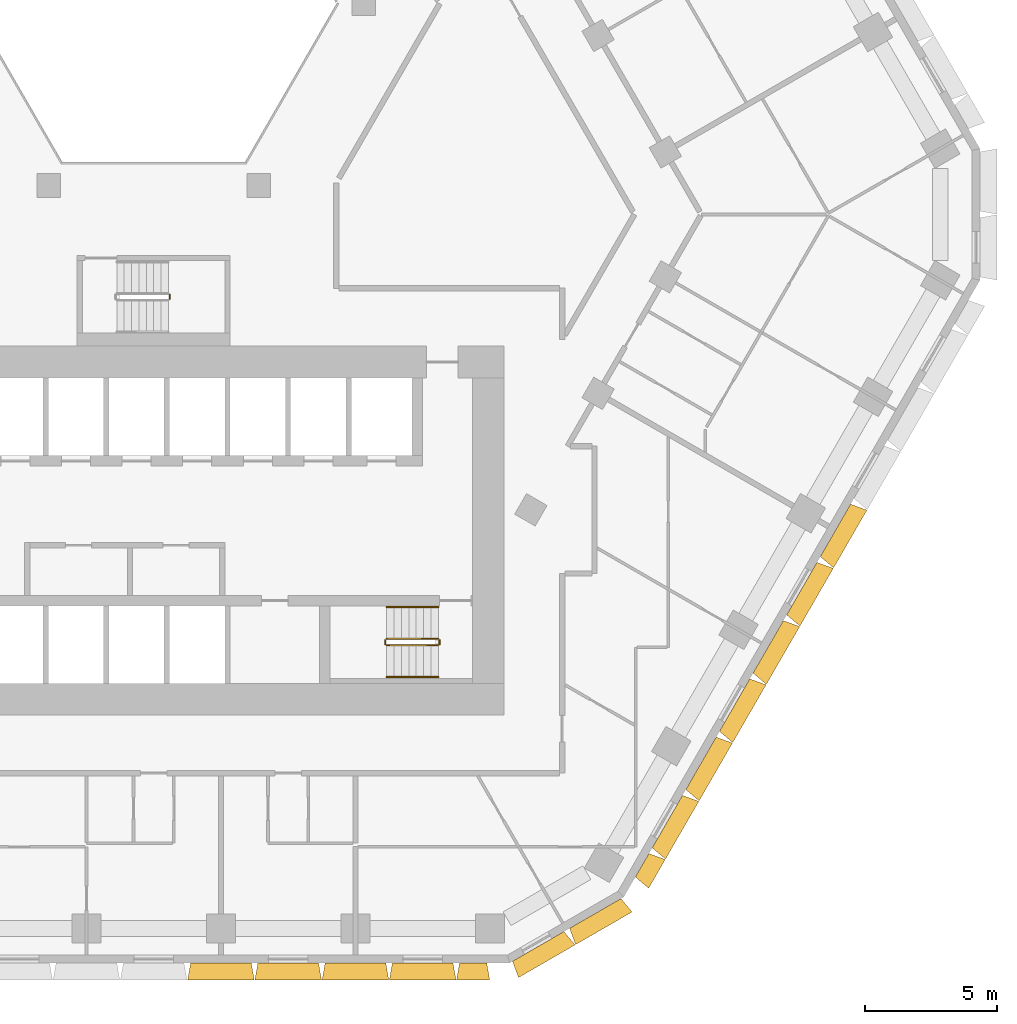
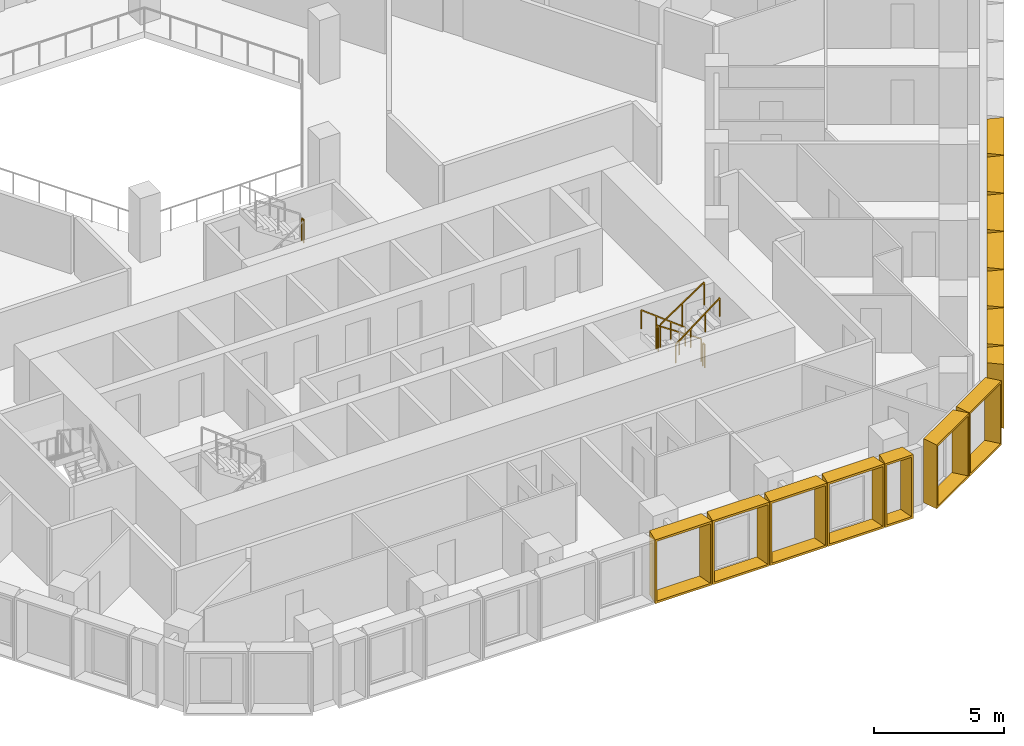
# One storey, part 15 of 16: 14 shading devices, 7 railings.
"""IFC4 building model written with IfcOpenShell, lengths in metres."""

from ifc_helpers import new_model, entity, si_unit, direction, frame, origin, origin_2d, place, context, subcontext, project, spatial, rectangle, extrude, source, transform, mapped, material, type_object, type_shapes, element, save


model = new_model("IFC4")

# Units and contexts
model_context = context("Model", 3, precision=1e-05, world=origin(), true_north=direction((0.0, 1.0)))
body_context = subcontext(model_context, "Body", "Model", "MODEL_VIEW")
ifc_project = project(units=[si_unit("LENGTHUNIT", "METRE"), si_unit("AREAUNIT", "SQUARE_METRE"), si_unit("VOLUMEUNIT", "CUBIC_METRE"), si_unit("PLANEANGLEUNIT", "RADIAN"), si_unit("MASSUNIT", "GRAM", prefix="KILO")], contexts=[model_context])

# Site, building, storey
site_placement = place(None, origin())
site = spatial("IfcSite", under=ifc_project, at=site_placement, CompositionType="ELEMENT")
building_placement = place(site_placement, origin())
building = spatial("IfcBuilding", under=site, at=building_placement, Name="Beryl Residences", CompositionType="ELEMENT")
storey_placement = place(building_placement, frame((0.0, 0.0, 38.39990234375)))
storey = spatial("IfcBuildingStorey", under=building, at=storey_placement, Name="L11", CompositionType="ELEMENT", Elevation=38.39990234375)

# Shading devices
ifc_material_1 = material(Name="Aluminium pale anodised", Category="aluminium")
shading_device_type_1 = type_object("IfcShadingDeviceType", Name="FR128-65A OUTER SKIN frame 650 mm deep, splay 10/10 deg, 1280 x 3000 mm cell", PredefinedType="USERDEFINED", material=ifc_material_1)
cartesian_point_1 = entity("IfcCartesianPoint", [-0.514892578125, 0.0])
cartesian_point_2 = entity("IfcCartesianPoint", [-0.433837890625, 0.10009765625])
cartesian_point_3 = entity("IfcCartesianPoint", [-0.629638671875, 0.0])
cartesian_point_4 = entity("IfcCartesianPoint", [-0.54833984375, 0.10009765625])
shared_shape_1 = source(origin(), body_context, "Body", "SweptSolid", [
    entity("IfcExtrudedAreaSolidTapered", entity("IfcArbitraryProfileDefWithVoids", "AREA", None, entity("IfcPolyline", [cartesian_point_1, entity("IfcCartesianPoint", [0.514892578125, 0.0]), entity("IfcCartesianPoint", [0.514892578125, 3.0]), entity("IfcCartesianPoint", [-0.514892578125, 3.0]), cartesian_point_1]), [entity("IfcPolyline", [cartesian_point_2, entity("IfcCartesianPoint", [0.433837890625, 0.10009765625]), entity("IfcCartesianPoint", [0.433837890625, 2.89990234375]), entity("IfcCartesianPoint", [-0.433837890625, 2.89990234375]), cartesian_point_2])]), entity("IfcAxis2Placement3D", entity("IfcCartesianPoint", [0.0, 0.0, 0.0]), entity("IfcDirection", [0.0, 1.0, 0.0]), entity("IfcDirection", [-1.0, 0.0, 0.0])), entity("IfcDirection", [0.0, 0.0, 1.0]), 0.64990234375, entity("IfcArbitraryProfileDefWithVoids", "AREA", None, entity("IfcPolyline", [cartesian_point_3, entity("IfcCartesianPoint", [0.629638671875, 0.0]), entity("IfcCartesianPoint", [0.629638671875, 3.0]), entity("IfcCartesianPoint", [-0.629638671875, 3.0]), cartesian_point_3]), [entity("IfcPolyline", [cartesian_point_4, entity("IfcCartesianPoint", [0.54833984375, 0.10009765625]), entity("IfcCartesianPoint", [0.54833984375, 2.89990234375]), entity("IfcCartesianPoint", [-0.54833984375, 2.89990234375]), cartesian_point_4])])),
])
type_shapes(shading_device_type_1, [shared_shape_1])
for number, where, z_axis, x_axis, name in (
    (1, (12.123046875, -28.39990234375, 0.0), (0.0, 0.0, 1.0), (-1.0, 0.0, 0.0), "FR128-65A frame L11 S 11"),
    (2, (18.534912109375, -24.697021484375, 0.0), (0.0, 0.0, 1.0), (-0.5, -0.866025403784, 0.0), "FR128-65A frame L11 SE 1"),
):
    element("IfcShadingDevice", number, at=place(storey_placement, frame(where, z_axis=z_axis, x_axis=x_axis)), inside=storey, type_object=shading_device_type_1, Name=name, ObjectType="OUTER SKIN", PredefinedType="USERDEFINED", context=body_context, shape_type="MappedRepresentation", body=[
        mapped(shared_shape_1, transform((0.0, 0.0, 0.0))),
    ])
ifc_material_2 = material(Name="Aluminium pale anodised", Category="aluminium")
shading_device_type_2 = type_object("IfcShadingDeviceType", Name="FR250-65A OUTER SKIN frame 650 mm deep, splay 10/10 deg, 2500 x 3000 mm cell", PredefinedType="USERDEFINED", material=ifc_material_2)
cartesian_point_5 = entity("IfcCartesianPoint", [-1.125, 0.0])
cartesian_point_6 = entity("IfcCartesianPoint", [-1.043701171875, 0.10009765625])
cartesian_point_7 = entity("IfcCartesianPoint", [-1.239501953125, 0.0])
cartesian_point_8 = entity("IfcCartesianPoint", [-1.158447265625, 0.10009765625])
shared_shape_2 = source(origin(), body_context, "Body", "SweptSolid", [
    entity("IfcExtrudedAreaSolidTapered", entity("IfcArbitraryProfileDefWithVoids", "AREA", None, entity("IfcPolyline", [cartesian_point_5, entity("IfcCartesianPoint", [1.125, 0.0]), entity("IfcCartesianPoint", [1.125, 3.0]), entity("IfcCartesianPoint", [-1.125, 3.0]), cartesian_point_5]), [entity("IfcPolyline", [cartesian_point_6, entity("IfcCartesianPoint", [1.043701171875, 0.10009765625]), entity("IfcCartesianPoint", [1.043701171875, 2.89990234375]), entity("IfcCartesianPoint", [-1.043701171875, 2.89990234375]), cartesian_point_6])]), entity("IfcAxis2Placement3D", entity("IfcCartesianPoint", [0.0, 0.0, 0.0]), entity("IfcDirection", [0.0, 1.0, 0.0]), entity("IfcDirection", [-1.0, 0.0, 0.0])), entity("IfcDirection", [0.0, 0.0, 1.0]), 0.64990234375, entity("IfcArbitraryProfileDefWithVoids", "AREA", None, entity("IfcPolyline", [cartesian_point_7, entity("IfcCartesianPoint", [1.239501953125, 0.0]), entity("IfcCartesianPoint", [1.239501953125, 3.0]), entity("IfcCartesianPoint", [-1.239501953125, 3.0]), cartesian_point_7]), [entity("IfcPolyline", [cartesian_point_8, entity("IfcCartesianPoint", [1.158447265625, 0.10009765625]), entity("IfcCartesianPoint", [1.158447265625, 2.89990234375]), entity("IfcCartesianPoint", [-1.158447265625, 2.89990234375]), cartesian_point_8])])),
])
type_shapes(shading_device_type_2, [shared_shape_2])
for number, where, z_axis, x_axis, name in (
    (3, (14.593017578125, -27.77490234375, 0.0), (0.0, 0.0, 1.0), (-0.866025403784, -0.5, 0.0), "FR250-65A frame L11 S-SE 1"),
    (4, (16.758056640625, -26.52490234375, 0.0), (0.0, 0.0, 1.0), (-0.866025403784, -0.5, 0.0), "FR250-65A frame L11 S-SE 2"),
):
    element("IfcShadingDevice", number, at=place(storey_placement, frame(where, z_axis=z_axis, x_axis=x_axis)), inside=storey, type_object=shading_device_type_2, Name=name, ObjectType="OUTER SKIN", PredefinedType="USERDEFINED", context=body_context, shape_type="MappedRepresentation", body=[
        mapped(shared_shape_2, transform((0.0, 0.0, 0.0))),
    ])
ifc_material_3 = material(Name="Aluminium pale anodised", Category="aluminium")
shading_device_type_3 = type_object("IfcShadingDeviceType", Name="FR255-65A OUTER SKIN frame 650 mm deep, splay 10/10 deg, 2550 x 3000 mm cell", PredefinedType="USERDEFINED", material=ifc_material_3)
cartesian_point_9 = entity("IfcCartesianPoint", [-1.14990234375, 0.0])
cartesian_point_10 = entity("IfcCartesianPoint", [-1.06884765625, 0.10009765625])
cartesian_point_11 = entity("IfcCartesianPoint", [-1.2646484375, 0.0])
cartesian_point_12 = entity("IfcCartesianPoint", [-1.183349609375, 0.10009765625])
shared_shape_3 = source(origin(), body_context, "Body", "SweptSolid", [
    entity("IfcExtrudedAreaSolidTapered", entity("IfcArbitraryProfileDefWithVoids", "AREA", None, entity("IfcPolyline", [cartesian_point_9, entity("IfcCartesianPoint", [1.14990234375, 0.0]), entity("IfcCartesianPoint", [1.14990234375, 3.0]), entity("IfcCartesianPoint", [-1.14990234375, 3.0]), cartesian_point_9]), [entity("IfcPolyline", [cartesian_point_10, entity("IfcCartesianPoint", [1.06884765625, 0.10009765625]), entity("IfcCartesianPoint", [1.06884765625, 2.89990234375]), entity("IfcCartesianPoint", [-1.06884765625, 2.89990234375]), cartesian_point_10])]), entity("IfcAxis2Placement3D", entity("IfcCartesianPoint", [0.0, 0.0, 0.0]), entity("IfcDirection", [0.0, 1.0, 0.0]), entity("IfcDirection", [-1.0, 0.0, 0.0])), entity("IfcDirection", [0.0, 0.0, 1.0]), 0.64990234375, entity("IfcArbitraryProfileDefWithVoids", "AREA", None, entity("IfcPolyline", [cartesian_point_11, entity("IfcCartesianPoint", [1.2646484375, 0.0]), entity("IfcCartesianPoint", [1.2646484375, 3.0]), entity("IfcCartesianPoint", [-1.2646484375, 3.0]), cartesian_point_11]), [entity("IfcPolyline", [cartesian_point_12, entity("IfcCartesianPoint", [1.183349609375, 0.10009765625]), entity("IfcCartesianPoint", [1.183349609375, 2.89990234375]), entity("IfcCartesianPoint", [-1.183349609375, 2.89990234375]), cartesian_point_12])])),
])
type_shapes(shading_device_type_3, [shared_shape_3])
for number, where, z_axis, x_axis, name in (
    (5, (2.552978515625, -28.39990234375, 0.0), (0.0, 0.0, 1.0), (-1.0, 0.0, 0.0), "FR255-65A frame L11 S 7"),
    (6, (5.10498046875, -28.39990234375, 0.0), (0.0, 0.0, 1.0), (-1.0, 0.0, 0.0), "FR255-65A frame L11 S 8"),
    (7, (7.656982421875, -28.39990234375, 0.0), (0.0, 0.0, 1.0), (-1.0, 0.0, 0.0), "FR255-65A frame L11 S 9"),
    (8, (10.208984375, -28.39990234375, 0.0), (0.0, 0.0, 1.0), (-1.0, 0.0, 0.0), "FR255-65A frame L11 S 10"),
    (9, (19.491943359375, -23.0400390625, 0.0), (0.0, 0.0, 1.0), (-0.5, -0.866025403784, 0.0), "FR255-65A frame L11 SE 2"),
    (10, (20.76806640625, -20.830078125, 0.0), (0.0, 0.0, 1.0), (-0.5, -0.866025403784, 0.0), "FR255-65A frame L11 SE 3"),
    (11, (22.0439453125, -18.618896484375, 0.0), (0.0, 0.0, 1.0), (-0.5, -0.866025403784, 0.0), "FR255-65A frame L11 SE 4"),
    (12, (23.320068359375, -16.408935546875, 0.0), (0.0, 0.0, 1.0), (-0.5, -0.866025403784, 0.0), "FR255-65A frame L11 SE 5"),
    (13, (24.594970703125, -14.198974609375, 0.0), (0.0, 0.0, 1.0), (-0.5, -0.866025403784, 0.0), "FR255-65A frame L11 SE 6"),
    (14, (25.87109375, -11.989013671875, 0.0), (0.0, 0.0, 1.0), (-0.5, -0.866025403784, 0.0), "FR255-65A frame L11 SE 7"),
):
    element("IfcShadingDevice", number, at=place(storey_placement, frame(where, z_axis=z_axis, x_axis=x_axis)), inside=storey, type_object=shading_device_type_3, Name=name, ObjectType="OUTER SKIN", PredefinedType="USERDEFINED", context=body_context, shape_type="MappedRepresentation", body=[
        mapped(shared_shape_3, transform((0.0, 0.0, 0.0))),
    ])

# Railings
ifc_material_4 = material(Name="Stainless steel balustrade with glass infill", Category="steel")
railing_type_1 = type_object("IfcRailingType", Name="SG1 stair guard 1100 mm", PredefinedType="GUARDRAIL", material=ifc_material_4)
railing_1_placement = place(storey_placement, frame((10.800048828125, -16.10009765625, 0.1875)))
element("IfcRailing", 15, at=railing_1_placement, inside=storey, type_object=railing_type_1, Name="L11 ST-3 stair guard 1", PredefinedType="GUARDRAIL", context=body_context, shape_type="SweptSolid", body=[
    extrude(rectangle(XDim=0.048095703125, YDim=0.048095703125, at=origin_2d()), frame((0.0, 0.0, 1.076171875), z_axis=(-0.830902050051, 0.0, 0.556418712142), x_axis=(0.0, -1.0, 0.0)), (0.0, 0.0, 1.0), 2.35888671875),
    extrude(rectangle(XDim=0.0419921875, YDim=0.0419921875, at=origin_2d()), origin(), (0.0, 0.0, 1.0), 1.052001953125),
    extrude(rectangle(XDim=0.0419921875, YDim=0.0419921875, at=origin_2d()), frame((-0.97998046875, 0.0, 0.65625)), (0.0, 0.0, 1.0), 1.052001953125),
    extrude(rectangle(XDim=0.0419921875, YDim=0.0419921875, at=origin_2d()), frame((-1.9599609375, 0.0, 1.3125)), (0.0, 0.0, 1.0), 1.052001953125),
])
railing_2_placement = place(storey_placement, frame((8.7900390625, -16.14990234375, 1.5)))
element("IfcRailing", 16, at=railing_2_placement, inside=storey, type_object=railing_type_1, Name="L11 ST-3 stair guard 2", PredefinedType="GUARDRAIL", context=body_context, shape_type="SweptSolid", body=[
    extrude(rectangle(XDim=0.048095703125, YDim=0.048095703125, at=origin_2d()), frame((0.0, 0.0, 1.076171875), z_axis=(0.0, -1.0, 0.0), x_axis=(1.0, 0.0, 0.0)), (0.0, 0.0, 1.0), 0.150146484375),
    extrude(rectangle(XDim=0.0419921875, YDim=0.0419921875, at=origin_2d()), origin(), (0.0, 0.0, 1.0), 1.052001953125),
    extrude(rectangle(XDim=0.0419921875, YDim=0.0419921875, at=origin_2d()), frame((0.0, -0.150146484375, 0.0)), (0.0, 0.0, 1.0), 1.052001953125),
])
railing_3_placement = place(storey_placement, frame((8.840087890625, -16.35009765625, 1.6875)))
element("IfcRailing", 17, at=railing_3_placement, inside=storey, type_object=railing_type_1, Name="L11 ST-3 stair guard 3", PredefinedType="GUARDRAIL", context=body_context, shape_type="SweptSolid", body=[
    extrude(rectangle(XDim=0.048095703125, YDim=0.048095703125, at=origin_2d()), frame((0.0, 0.0, 1.076171875), z_axis=(0.830902050051, 0.0, 0.556418712142), x_axis=(0.0, 1.0, 0.0)), (0.0, 0.0, 1.0), 2.35888671875),
    extrude(rectangle(XDim=0.0419921875, YDim=0.0419921875, at=origin_2d()), origin(), (0.0, 0.0, 1.0), 1.052001953125),
    extrude(rectangle(XDim=0.0419921875, YDim=0.0419921875, at=origin_2d()), frame((0.97998046875, 0.0, 0.65625)), (0.0, 0.0, 1.0), 1.052001953125),
    extrude(rectangle(XDim=0.0419921875, YDim=0.0419921875, at=origin_2d()), frame((1.9599609375, 0.0, 1.3125)), (0.0, 0.0, 1.0), 1.052001953125),
])
railing_4_placement = place(storey_placement, frame((10.85009765625, -16.14990234375, 0.0)))
element("IfcRailing", 18, at=railing_4_placement, inside=storey, type_object=railing_type_1, Name="L11 ST-3 stair guard 4", PredefinedType="GUARDRAIL", context=body_context, shape_type="SweptSolid", body=[
    extrude(rectangle(XDim=0.048095703125, YDim=0.048095703125, at=origin_2d()), frame((0.0, 0.0, 1.076171875), z_axis=(0.0, -1.0, 0.0), x_axis=(1.0, 0.0, 0.0)), (0.0, 0.0, 1.0), 0.150146484375),
    extrude(rectangle(XDim=0.0419921875, YDim=0.0419921875, at=origin_2d()), origin(), (0.0, 0.0, 1.0), 1.052001953125),
    extrude(rectangle(XDim=0.0419921875, YDim=0.0419921875, at=origin_2d()), frame((0.0, -0.150146484375, 0.0)), (0.0, 0.0, 1.0), 1.052001953125),
])
railing_5_placement = place(storey_placement, frame((0.610107421875, -3.199951171875, 1.5)))
element("IfcRailing", 19, at=railing_5_placement, inside=storey, type_object=railing_type_1, Name="L11 ST-4 stair guard 2", PredefinedType="GUARDRAIL", context=body_context, shape_type="SweptSolid", body=[
    extrude(rectangle(XDim=0.048095703125, YDim=0.048095703125, at=origin_2d()), frame((0.0, 0.0, 1.076171875), z_axis=(0.0, 1.0, 0.0), x_axis=(-1.0, 0.0, 0.0)), (0.0, 0.0, 1.0), 0.14990234375),
    extrude(rectangle(XDim=0.0419921875, YDim=0.0419921875, at=origin_2d()), origin(), (0.0, 0.0, 1.0), 1.052001953125),
    extrude(rectangle(XDim=0.0419921875, YDim=0.0419921875, at=origin_2d()), frame((0.0, 0.14990234375, 0.0)), (0.0, 0.0, 1.0), 1.052001953125),
])
ifc_material_5 = material(Name="Stainless steel handrail", Category="steel")
railing_type_2 = type_object("IfcRailingType", Name="SRL1 stair handrail 900 mm", PredefinedType="HANDRAIL", material=ifc_material_5)
railing_6_placement = place(storey_placement, frame((10.800048828125, -14.89990234375, 0.1875)))
element("IfcRailing", 20, at=railing_6_placement, inside=storey, type_object=railing_type_2, Name="L11 ST-3 stair handrail 1", PredefinedType="HANDRAIL", context=body_context, shape_type="SweptSolid", body=[
    extrude(rectangle(XDim=0.048095703125, YDim=0.048095703125, at=origin_2d()), frame((0.0, 0.0, 0.8759765625), z_axis=(-0.794121922505, 0.0, 0.607758481798), x_axis=(0.0, -1.0, 0.0)), (0.0, 0.0, 1.0), 2.468017578125),
    extrude(rectangle(XDim=0.0419921875, YDim=0.0419921875, at=origin_2d()), origin(), (0.0, 0.0, 1.0), 0.851806640625),
    extrude(rectangle(XDim=0.0419921875, YDim=0.0419921875, at=origin_2d()), frame((-0.6533203125, 0.0, 0.5)), (0.0, 0.0, 1.0), 0.851806640625),
    extrude(rectangle(XDim=0.0419921875, YDim=0.0419921875, at=origin_2d()), frame((-1.306640625, 0.0, 1.0)), (0.0, 0.0, 1.0), 0.851806640625),
    extrude(rectangle(XDim=0.0419921875, YDim=0.0419921875, at=origin_2d()), frame((-1.9599609375, 0.0, 1.5)), (0.0, 0.0, 1.0), 0.851806640625),
])
railing_7_placement = place(storey_placement, frame((8.840087890625, -17.550048828125, 1.6875)))
element("IfcRailing", 21, at=railing_7_placement, inside=storey, type_object=railing_type_2, Name="L11 ST-3 stair handrail 2", PredefinedType="HANDRAIL", context=body_context, shape_type="SweptSolid", body=[
    extrude(rectangle(XDim=0.048095703125, YDim=0.048095703125, at=origin_2d()), frame((0.0, 0.0, 0.8759765625), z_axis=(0.794121922505, 0.0, 0.607758481798), x_axis=(0.0, 1.0, 0.0)), (0.0, 0.0, 1.0), 2.468017578125),
    extrude(rectangle(XDim=0.0419921875, YDim=0.0419921875, at=origin_2d()), origin(), (0.0, 0.0, 1.0), 0.851806640625),
    extrude(rectangle(XDim=0.0419921875, YDim=0.0419921875, at=origin_2d()), frame((0.6533203125, 0.0, 0.5)), (0.0, 0.0, 1.0), 0.851806640625),
    extrude(rectangle(XDim=0.0419921875, YDim=0.0419921875, at=origin_2d()), frame((1.306640625, 0.0, 1.0)), (0.0, 0.0, 1.0), 0.851806640625),
    extrude(rectangle(XDim=0.0419921875, YDim=0.0419921875, at=origin_2d()), frame((1.9599609375, 0.0, 1.5)), (0.0, 0.0, 1.0), 0.851806640625),
])

save(model, "model.ifc")
